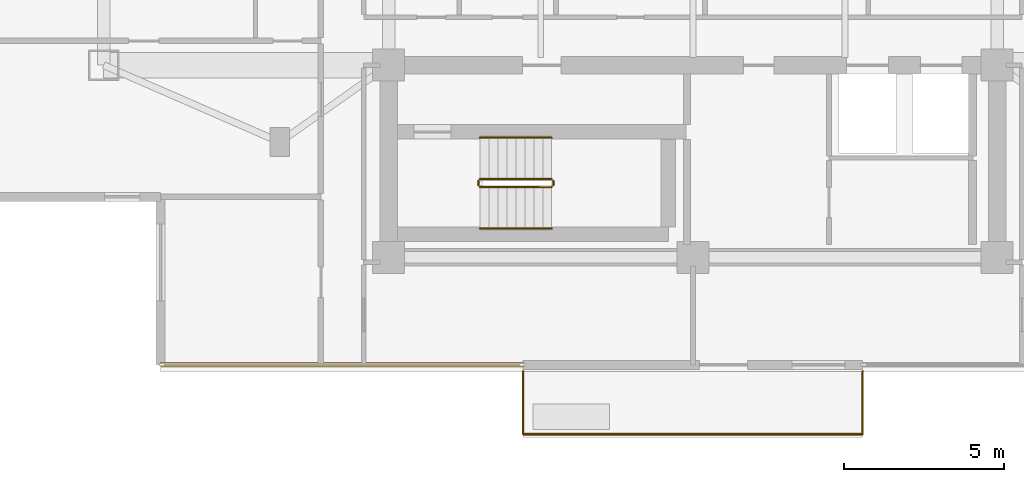
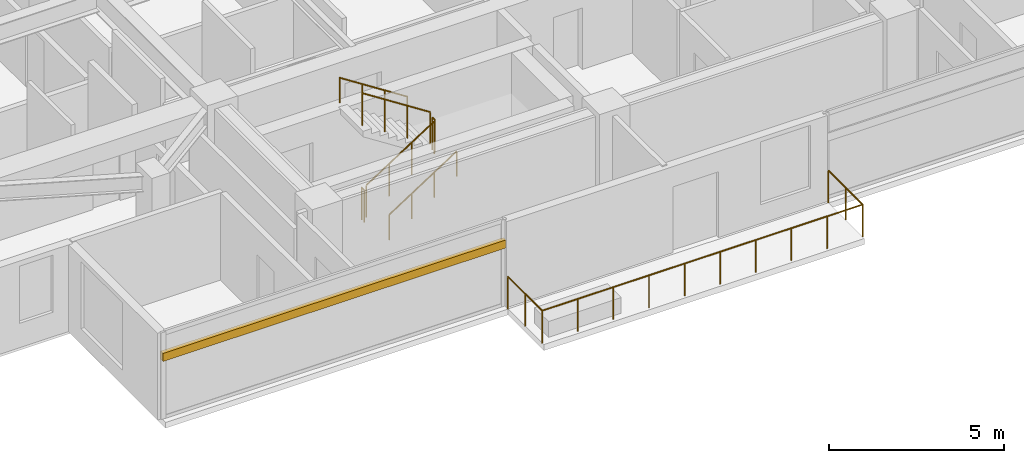
# One storey, part 20 of 25: 9 railings, 1 shading device.
"""IFC4 building model written with IfcOpenShell, lengths in metres."""

from ifc_helpers import new_model, si_unit, direction, frame, origin, origin_2d, place, context, subcontext, project, spatial, rectangle, circle, extrude, material, material_profile, profile_set, type_object, element, save


model = new_model("IFC4")

# Units and contexts
model_context = context("Model", 3, precision=1e-05, world=origin(), true_north=direction((0.0, 1.0)))
body_context = subcontext(model_context, "Body", "Model", "MODEL_VIEW")
ifc_project = project(units=[si_unit("LENGTHUNIT", "METRE"), si_unit("AREAUNIT", "SQUARE_METRE"), si_unit("VOLUMEUNIT", "CUBIC_METRE"), si_unit("PLANEANGLEUNIT", "RADIAN"), si_unit("MASSUNIT", "GRAM", prefix="KILO")], contexts=[model_context])

# Site, building, storey
site_placement = place(None, origin())
site = spatial("IfcSite", under=ifc_project, at=site_placement, CompositionType="ELEMENT")
building_placement = place(site_placement, origin())
building = spatial("IfcBuilding", under=site, at=building_placement, Name="Mirazonda Arch Towers", CompositionType="ELEMENT")
storey_placement = place(building_placement, frame((0.0, 0.0, 180.39990234375)))
storey = spatial("IfcBuildingStorey", under=building, at=storey_placement, Name="L51", CompositionType="ELEMENT", Elevation=180.39990234375)

# Shading device
ifc_material_1 = material(Name="Kiln-Fired Architectural Terracotta", Category="masonry")
ifc_material_profile = material_profile(ifc_material_1, rectangle(XDim=0.139892578125, YDim=0.280029296875, at=origin_2d()), Name="TERRA-BAG-140x280")
ifc_profile_set = profile_set([ifc_material_profile], Name="Kiln-Fired Architectural Terracotta")
shading_device_type = type_object("IfcShadingDeviceType", Name="BAGUETTE-3", PredefinedType="USERDEFINED", material=ifc_profile_set)
shading_device_placement = place(storey_placement, frame((15.2099609375, 9.0458984375, 2.181640625), z_axis=(-1.0, 0.0, 0.0), x_axis=(0.0, -1.0, 0.0)))
element("IfcShadingDevice", 1, at=shading_device_placement, inside=storey, type_object=shading_device_type, Name="L51 Glazed Terracotta Sun-Screen Baguette CW-L51-T1-SB", ObjectType="BAGUETTE", PredefinedType="USERDEFINED", context=body_context, shape_type="SweptSolid", body=[
    extrude(rectangle(XDim=0.139892578125, YDim=0.280029296875, at=origin_2d()), origin(), (0.0, 0.0, 1.0), 11.3349609375),
])

# Railings
ifc_material_2 = material(Name="Architectural Brushed Steel S355", Category="steel")
railing_type_1 = type_object("IfcRailingType", Name="GUARD-EXT-1150", PredefinedType="GUARDRAIL", material=ifc_material_2)
railing_1_placement = place(storey_placement, frame((25.800048828125, 8.8359375, 0.0)))
element("IfcRailing", 2, at=railing_1_placement, inside=storey, type_object=railing_type_1, Name="L51 T1 Sky-Terrace Guard 01", PredefinedType="GUARDRAIL", context=body_context, shape_type="SweptSolid", body=[
    extrude(circle(Radius=0.02392578125, at=origin_2d()), frame((0.0, 0.0, 1.1259765625), z_axis=(0.0, -1.0, 0.0), x_axis=(1.0, 0.0, 0.0)), (0.0, 0.0, 1.0), 1.9599609375),
    extrude(circle(Radius=0.02099609375, at=origin_2d()), origin(), (0.0, 0.0, 1.0), 1.101806640625),
    extrude(circle(Radius=0.02099609375, at=origin_2d()), frame((0.0, -0.97998046875, 0.0)), (0.0, 0.0, 1.0), 1.101806640625),
    extrude(circle(Radius=0.02099609375, at=origin_2d()), frame((0.0, -1.9599609375, 0.0)), (0.0, 0.0, 1.0), 1.101806640625),
])
railing_2_placement = place(storey_placement, frame((25.800048828125, 6.8759765625, 0.0)))
element("IfcRailing", 3, at=railing_2_placement, inside=storey, type_object=railing_type_1, Name="L51 T1 Sky-Terrace Guard 02", PredefinedType="GUARDRAIL", context=body_context, shape_type="SweptSolid", body=[
    extrude(circle(Radius=0.02392578125, at=origin_2d()), frame((0.0, 0.0, 1.1259765625), z_axis=(-1.0, 0.0, 0.0), x_axis=(0.0, -1.0, 0.0)), (0.0, 0.0, 1.0), 10.60009765625),
    extrude(circle(Radius=0.02099609375, at=origin_2d()), origin(), (0.0, 0.0, 1.0), 1.101806640625),
    extrude(circle(Radius=0.02099609375, at=origin_2d()), frame((-1.177734375, 0.0, 0.0)), (0.0, 0.0, 1.0), 1.101806640625),
    extrude(circle(Radius=0.02099609375, at=origin_2d()), frame((-2.35546875, 0.0, 0.0)), (0.0, 0.0, 1.0), 1.101806640625),
    extrude(circle(Radius=0.02099609375, at=origin_2d()), frame((-3.533447265625, 0.0, 0.0)), (0.0, 0.0, 1.0), 1.101806640625),
    extrude(circle(Radius=0.02099609375, at=origin_2d()), frame((-4.711181640625, 0.0, 0.0)), (0.0, 0.0, 1.0), 1.101806640625),
    extrude(circle(Radius=0.02099609375, at=origin_2d()), frame((-5.888916015625, 0.0, 0.0)), (0.0, 0.0, 1.0), 1.101806640625),
    extrude(circle(Radius=0.02099609375, at=origin_2d()), frame((-7.066650390625, 0.0, 0.0)), (0.0, 0.0, 1.0), 1.101806640625),
    extrude(circle(Radius=0.02099609375, at=origin_2d()), frame((-8.24462890625, 0.0, 0.0)), (0.0, 0.0, 1.0), 1.101806640625),
    extrude(circle(Radius=0.02099609375, at=origin_2d()), frame((-9.42236328125, 0.0, 0.0)), (0.0, 0.0, 1.0), 1.101806640625),
    extrude(circle(Radius=0.02099609375, at=origin_2d()), frame((-10.60009765625, 0.0, 0.0)), (0.0, 0.0, 1.0), 1.101806640625),
])
railing_3_placement = place(storey_placement, frame((15.199951171875, 6.8759765625, 0.0)))
element("IfcRailing", 4, at=railing_3_placement, inside=storey, type_object=railing_type_1, Name="L51 T1 Sky-Terrace Guard 03", PredefinedType="GUARDRAIL", context=body_context, shape_type="SweptSolid", body=[
    extrude(circle(Radius=0.02392578125, at=origin_2d()), frame((0.0, 0.0, 1.1259765625), z_axis=(0.0, 1.0, 0.0), x_axis=(-1.0, 0.0, 0.0)), (0.0, 0.0, 1.0), 1.9599609375),
    extrude(circle(Radius=0.02099609375, at=origin_2d()), origin(), (0.0, 0.0, 1.0), 1.101806640625),
    extrude(circle(Radius=0.02099609375, at=origin_2d()), frame((0.0, 0.97998046875, 0.0)), (0.0, 0.0, 1.0), 1.101806640625),
    extrude(circle(Radius=0.02099609375, at=origin_2d()), frame((0.0, 1.9599609375, 0.0)), (0.0, 0.0, 1.0), 1.101806640625),
])
railing_type_2 = type_object("IfcRailingType", Name="GUARD-STAIR-1120", PredefinedType="GUARDRAIL", material=ifc_material_2)
railing_4_placement = place(storey_placement, frame((13.85009765625, 14.60009765625, 0.1806640625)))
element("IfcRailing", 5, at=railing_4_placement, inside=storey, type_object=railing_type_2, Name="L51 ST-T1S stair guard 1", PredefinedType="GUARDRAIL", context=body_context, shape_type="SweptSolid", body=[
    extrude(circle(Radius=0.02392578125, at=origin_2d()), frame((0.0, 0.0, 1.1259765625), z_axis=(0.840436612492, 0.0, 0.541909863706), x_axis=(0.0, 1.0, 0.0)), (0.0, 0.0, 1.0), 2.665283203125),
    extrude(circle(Radius=0.02099609375, at=origin_2d()), origin(), (0.0, 0.0, 1.0), 1.101806640625),
    extrude(circle(Radius=0.02099609375, at=origin_2d()), frame((0.74658203125, 0.0, 0.4814453125)), (0.0, 0.0, 1.0), 1.101806640625),
    extrude(circle(Radius=0.02099609375, at=origin_2d()), frame((1.493408203125, 0.0, 0.962890625)), (0.0, 0.0, 1.0), 1.101806640625),
    extrude(circle(Radius=0.02099609375, at=origin_2d()), frame((2.239990234375, 0.0, 1.4443359375)), (0.0, 0.0, 1.0), 1.101806640625),
])
railing_5_placement = place(storey_placement, frame((16.139892578125, 14.64990234375, 1.625)))
element("IfcRailing", 6, at=railing_5_placement, inside=storey, type_object=railing_type_2, Name="L51 ST-T1S stair guard 2", PredefinedType="GUARDRAIL", context=body_context, shape_type="SweptSolid", body=[
    extrude(circle(Radius=0.02392578125, at=origin_2d()), frame((0.0, 0.0, 1.1259765625), z_axis=(0.0, 1.0, 0.0), x_axis=(-1.0, 0.0, 0.0)), (0.0, 0.0, 1.0), 0.14013671875),
    extrude(circle(Radius=0.02099609375, at=origin_2d()), origin(), (0.0, 0.0, 1.0), 1.101806640625),
    extrude(circle(Radius=0.02099609375, at=origin_2d()), frame((0.0, 0.14013671875, 0.0)), (0.0, 0.0, 1.0), 1.101806640625),
])
railing_6_placement = place(storey_placement, frame((16.090087890625, 14.840087890625, 1.8056640625)))
element("IfcRailing", 7, at=railing_6_placement, inside=storey, type_object=railing_type_2, Name="L51 ST-T1S stair guard 3", PredefinedType="GUARDRAIL", context=body_context, shape_type="SweptSolid", body=[
    extrude(circle(Radius=0.02392578125, at=origin_2d()), frame((0.0, 0.0, 1.1259765625), z_axis=(-0.840436612492, 0.0, 0.541909863706), x_axis=(0.0, -1.0, 0.0)), (0.0, 0.0, 1.0), 2.665283203125),
    extrude(circle(Radius=0.02099609375, at=origin_2d()), origin(), (0.0, 0.0, 1.0), 1.101806640625),
    extrude(circle(Radius=0.02099609375, at=origin_2d()), frame((-0.74658203125, 0.0, 0.4814453125)), (0.0, 0.0, 1.0), 1.101806640625),
    extrude(circle(Radius=0.02099609375, at=origin_2d()), frame((-1.493408203125, 0.0, 0.962890625)), (0.0, 0.0, 1.0), 1.101806640625),
    extrude(circle(Radius=0.02099609375, at=origin_2d()), frame((-2.239990234375, 0.0, 1.4443359375)), (0.0, 0.0, 1.0), 1.101806640625),
])
railing_7_placement = place(storey_placement, frame((13.800048828125, 14.64990234375, 0.0)))
element("IfcRailing", 8, at=railing_7_placement, inside=storey, type_object=railing_type_2, Name="L51 ST-T1S stair guard 4", PredefinedType="GUARDRAIL", context=body_context, shape_type="SweptSolid", body=[
    extrude(circle(Radius=0.02392578125, at=origin_2d()), frame((0.0, 0.0, 1.1259765625), z_axis=(0.0, 1.0, 0.0), x_axis=(-1.0, 0.0, 0.0)), (0.0, 0.0, 1.0), 0.14013671875),
    extrude(circle(Radius=0.02099609375, at=origin_2d()), origin(), (0.0, 0.0, 1.0), 1.101806640625),
    extrude(circle(Radius=0.02099609375, at=origin_2d()), frame((0.0, 0.14013671875, 0.0)), (0.0, 0.0, 1.0), 1.101806640625),
])
railing_type_3 = type_object("IfcRailingType", Name="HANDRAIL-915", PredefinedType="HANDRAIL", material=ifc_material_2)
railing_8_placement = place(storey_placement, frame((13.85009765625, 13.300048828125, 0.1806640625)))
element("IfcRailing", 9, at=railing_8_placement, inside=storey, type_object=railing_type_3, Name="L51 ST-T1S stair handrail 1", PredefinedType="HANDRAIL", context=body_context, shape_type="SweptSolid", body=[
    extrude(circle(Radius=0.02392578125, at=origin_2d()), frame((0.0, 0.0, 0.8759765625), z_axis=(0.840436612492, 0.0, 0.541909863706), x_axis=(0.0, 1.0, 0.0)), (0.0, 0.0, 1.0), 2.665283203125),
    extrude(circle(Radius=0.02099609375, at=origin_2d()), origin(), (0.0, 0.0, 1.0), 0.851806640625),
    extrude(circle(Radius=0.02099609375, at=origin_2d()), frame((0.74658203125, 0.0, 0.4814453125)), (0.0, 0.0, 1.0), 0.851806640625),
    extrude(circle(Radius=0.02099609375, at=origin_2d()), frame((1.493408203125, 0.0, 0.962890625)), (0.0, 0.0, 1.0), 0.851806640625),
    extrude(circle(Radius=0.02099609375, at=origin_2d()), frame((2.239990234375, 0.0, 1.4443359375)), (0.0, 0.0, 1.0), 0.851806640625),
])
railing_9_placement = place(storey_placement, frame((16.090087890625, 16.139892578125, 1.8056640625)))
element("IfcRailing", 10, at=railing_9_placement, inside=storey, type_object=railing_type_3, Name="L51 ST-T1S stair handrail 2", PredefinedType="HANDRAIL", context=body_context, shape_type="SweptSolid", body=[
    extrude(circle(Radius=0.02392578125, at=origin_2d()), frame((0.0, 0.0, 0.8759765625), z_axis=(-0.840436612492, 0.0, 0.541909863706), x_axis=(0.0, -1.0, 0.0)), (0.0, 0.0, 1.0), 2.665283203125),
    extrude(circle(Radius=0.02099609375, at=origin_2d()), origin(), (0.0, 0.0, 1.0), 0.851806640625),
    extrude(circle(Radius=0.02099609375, at=origin_2d()), frame((-0.74658203125, 0.0, 0.4814453125)), (0.0, 0.0, 1.0), 0.851806640625),
    extrude(circle(Radius=0.02099609375, at=origin_2d()), frame((-1.493408203125, 0.0, 0.962890625)), (0.0, 0.0, 1.0), 0.851806640625),
    extrude(circle(Radius=0.02099609375, at=origin_2d()), frame((-2.239990234375, 0.0, 1.4443359375)), (0.0, 0.0, 1.0), 0.851806640625),
])

save(model, "model.ifc")
